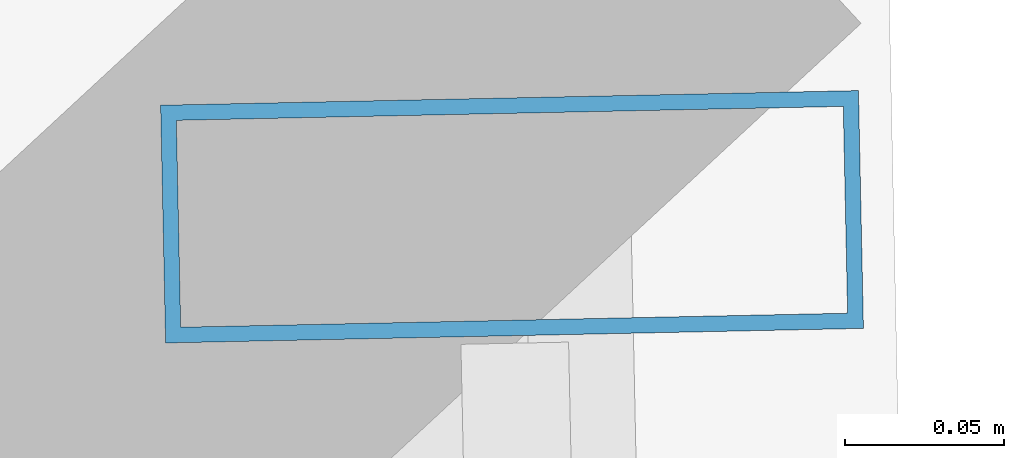
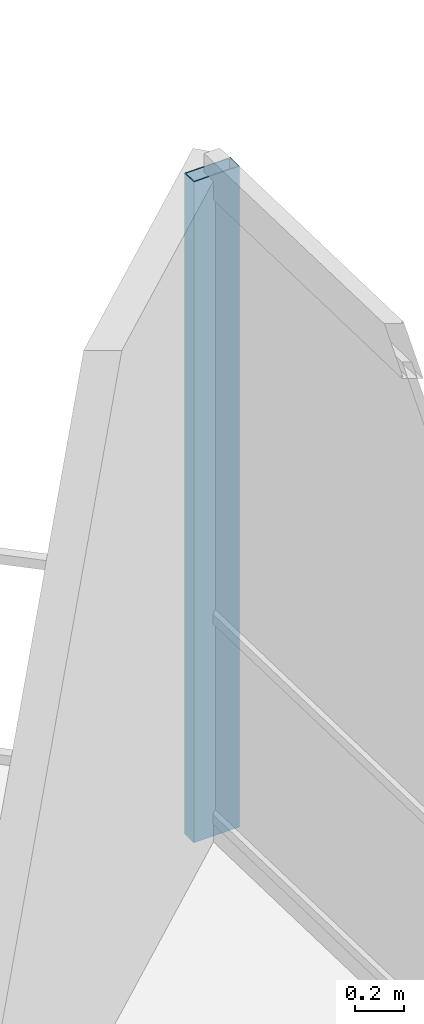
# One storey, part 13 of 19: 1 member, 1 element without a shape of its own.
"""IFC4 building model written with IfcOpenShell, lengths in metres."""

from ifc_helpers import new_model, si_unit, direction, frame, origin, origin_2d, place, context, subcontext, project, spatial, hollow_rectangle, extrude, material, layer, layer_set, material_profile, profile_set, type_object, element, aggregate, save


model = new_model("IFC4")

# Units and contexts
model_context = context("Model", 3, precision=1e-05, world=origin(), true_north=direction((0.0, 1.0)))
body_context = subcontext(model_context, "Body", "Model", "MODEL_VIEW")
ifc_project = project(units=[si_unit("LENGTHUNIT", "METRE"), si_unit("AREAUNIT", "SQUARE_METRE"), si_unit("VOLUMEUNIT", "CUBIC_METRE"), si_unit("PLANEANGLEUNIT", "RADIAN"), si_unit("MASSUNIT", "GRAM", prefix="KILO")], contexts=[model_context])

# Site, building, storey
site_placement = place(None, origin())
site = spatial("IfcSite", under=ifc_project, at=site_placement, CompositionType="ELEMENT")
building_placement = place(site_placement, origin())
building = spatial("IfcBuilding", under=site, at=building_placement, Name="Qarnah Convention Tower", CompositionType="ELEMENT")
storey_placement = place(building_placement, frame((0.0, 0.0, 184.199951171875)))
storey = spatial("IfcBuildingStorey", under=building, at=storey_placement, Name="L49", CompositionType="ELEMENT", Elevation=184.199951171875)

# Curtain wall, member
ifc_material_1 = material(Name="Tempered Low-E dark glass", Category="glass")
ifc_layer = layer(ifc_material_1, 0.174072265625)
ifc_layer_set = layer_set([ifc_layer], Name="Tempered Low-E dark glass")
curtain_wall_type = type_object("IfcCurtainWallType", Name="CWS-04", PredefinedType="NOTDEFINED", material=ifc_layer_set)
curtain_wall_placement = place(storey_placement, origin())
curtain_wall = element("IfcCurtainWall", 1, at=curtain_wall_placement, inside=storey, type_object=curtain_wall_type, Name="L49 unitised curtain wall CW-L49-F1", PredefinedType="NOTDEFINED")
ifc_material_2 = material(Name="Black anodised aluminium", Category="aluminium")
ifc_material_profile = material_profile(ifc_material_2, hollow_rectangle(XDim=0.074951171875, YDim=0.219970703125, WallThickness=0.0048828125, at=origin_2d()), Name="MUL-75X220")
ifc_profile_set = profile_set([ifc_material_profile], Name="Black anodised aluminium")
member_type = type_object("IfcMemberType", Name="MUL-T4", PredefinedType="MULLION", material=ifc_profile_set)
member_placement = place(storey_placement, frame((53.410888671875, 41.73193359375, 0.0), z_axis=(0.0, 0.0, 1.0), x_axis=(0.020935038759, -0.99978083806, 0.0)))
member = element("IfcMember", 2, at=member_placement, type_object=member_type, Name="CW-L49-F1 mullion 1", PredefinedType="MULLION", context=body_context, shape_type="SweptSolid", body=[
    extrude(hollow_rectangle(XDim=0.074951171875, YDim=0.219970703125, WallThickness=0.0048828125, at=origin_2d()), origin(), (0.0, 0.0, 1.0), 3.320068359375),
])
aggregate(curtain_wall, [member])

save(model, "model.ifc")
